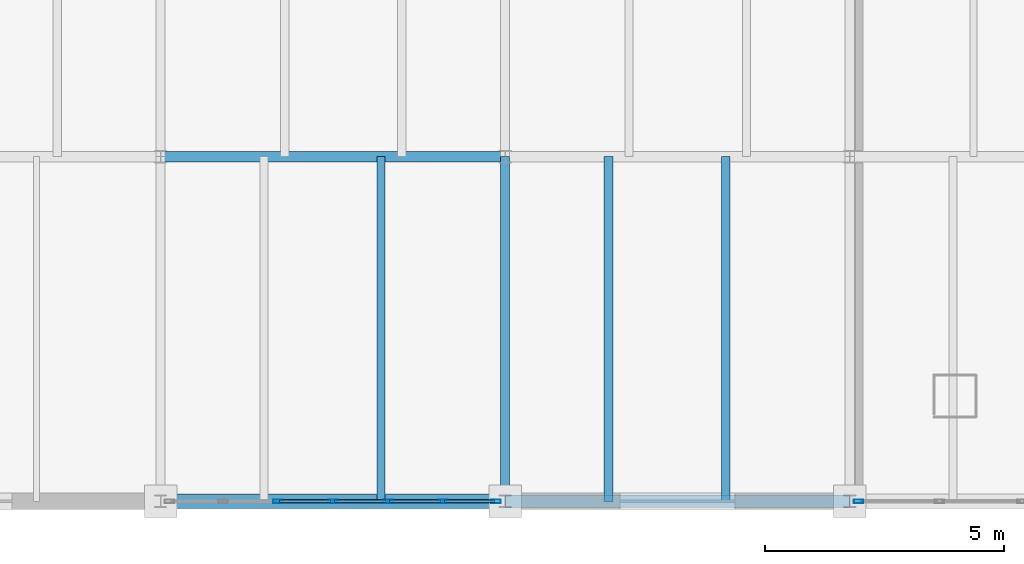
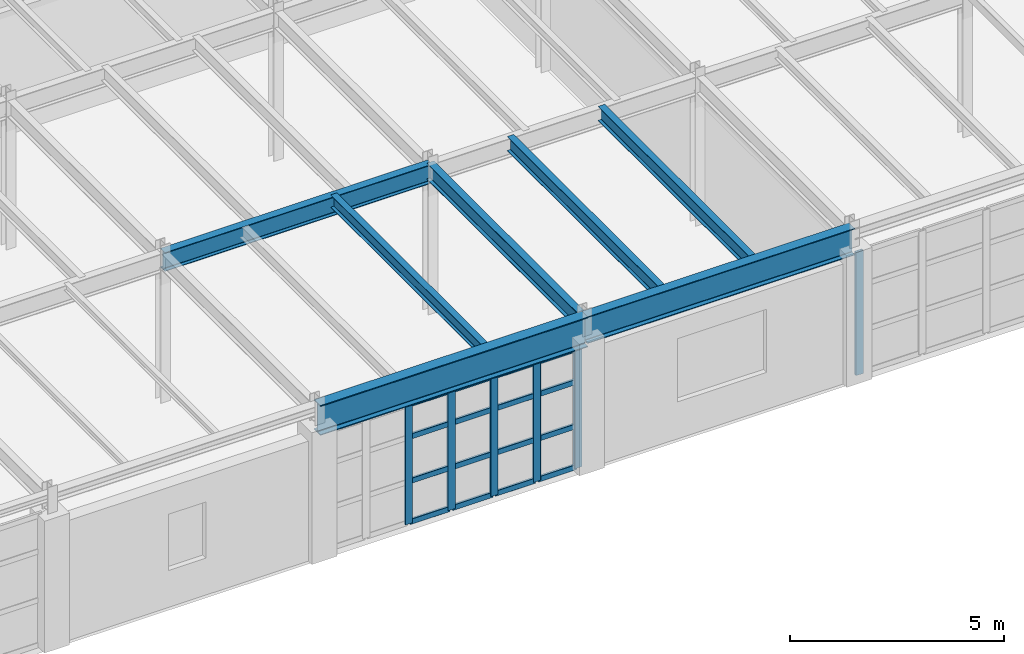
# One storey, part 46 of 137: 22 members, 7 beams, 2 elements without a shape of their own.
"""IFC4 building model written with IfcOpenShell, lengths in metres."""

from ifc_helpers import new_model, si_unit, direction, frame, origin, origin_2d, place, context, subcontext, project, spatial, hollow_rectangle, i_section, extrude, material, layer, layer_set, material_profile, profile_set, type_object, element, aggregate, save


model = new_model("IFC4")

# Units and contexts
model_context = context("Model", 3, precision=1e-05, world=origin(), true_north=direction((0.0, 1.0)))
body_context = subcontext(model_context, "Body", "Model", "MODEL_VIEW")
ifc_project = project(units=[si_unit("LENGTHUNIT", "METRE"), si_unit("AREAUNIT", "SQUARE_METRE"), si_unit("VOLUMEUNIT", "CUBIC_METRE"), si_unit("PLANEANGLEUNIT", "RADIAN"), si_unit("MASSUNIT", "GRAM", prefix="KILO")], contexts=[model_context])

# Site, building, storey
site_placement = place(None, origin())
site = spatial("IfcSite", under=ifc_project, at=site_placement, CompositionType="ELEMENT")
building_placement = place(site_placement, origin())
building = spatial("IfcBuilding", under=site, at=building_placement, Name="Kemerveld Promenade Tramway Depot", CompositionType="ELEMENT")
storey_placement = place(building_placement, frame((0.0, 0.0, 5.39990234375)))
storey = spatial("IfcBuildingStorey", under=building, at=storey_placement, Name="L01", CompositionType="ELEMENT", Elevation=5.39990234375)

# Beams
ifc_material_1 = material(Name="Steel S355", Category="steel")
ifc_material_profile_1 = material_profile(ifc_material_1, i_section(OverallWidth=0.293701171875, OverallDepth=0.850830078125, WebThickness=0.01611328125, FlangeThickness=0.02685546875, FilletRadius=0.017822265625, at=origin_2d()), Name="838x292x226 UB")
ifc_profile_set_1 = profile_set([ifc_material_profile_1], Name="Steel S355")
beam_type_1 = type_object("IfcBeamType", Name="BM-G01", PredefinedType="BEAM", material=ifc_profile_set_1)
beam_1_placement = place(storey_placement, frame((93.60009765625, 0.0, 3.859619140625), z_axis=(1.0, 0.0, 0.0), x_axis=(0.0, 1.0, 0.0)))
element("IfcBeam", 1, at=beam_1_placement, inside=storey, type_object=beam_type_1, Name="BMX-L01-14-15-A", PredefinedType="BEAM", context=body_context, shape_type="SweptSolid", body=[
    extrude(i_section(OverallWidth=0.293701171875, OverallDepth=0.850830078125, WebThickness=0.01611328125, FlangeThickness=0.02685546875, FilletRadius=0.017822265625, at=origin_2d()), origin(), (0.0, 0.0, 1.0), 7.199951171875),
])
ifc_material_profile_2 = material_profile(ifc_material_1, i_section(OverallWidth=0.2666015625, OverallDepth=0.76220703125, WebThickness=0.014404296875, FlangeThickness=0.021484375, FilletRadius=0.0166015625, at=origin_2d()), Name="762x267x173 UB")
ifc_profile_set_2 = profile_set([ifc_material_profile_2], Name="Steel S355")
beam_type_2 = type_object("IfcBeamType", Name="BM-G02", PredefinedType="BEAM", material=ifc_profile_set_2)
beam_2_placement = place(storey_placement, frame((100.800048828125, 0.0, 3.904052734375), z_axis=(1.0, 0.0, 0.0), x_axis=(0.0, 1.0, 0.0)))
element("IfcBeam", 2, at=beam_2_placement, inside=storey, type_object=beam_type_2, Name="BMX-L01-15-16-A", PredefinedType="BEAM", context=body_context, shape_type="SweptSolid", body=[
    extrude(i_section(OverallWidth=0.2666015625, OverallDepth=0.76220703125, WebThickness=0.014404296875, FlangeThickness=0.021484375, FilletRadius=0.0166015625, at=origin_2d()), origin(), (0.0, 0.0, 1.0), 7.199951171875),
])
ifc_material_profile_3 = material_profile(ifc_material_1, i_section(OverallWidth=0.2099609375, OverallDepth=0.53662109375, WebThickness=0.0107421875, FlangeThickness=0.017333984375, FilletRadius=0.0126953125, at=origin_2d()), Name="533x210x101 UB")
ifc_profile_set_3 = profile_set([ifc_material_profile_3], Name="Steel S355")
beam_type_3 = type_object("IfcBeamType", Name="BM-G05", PredefinedType="BEAM", material=ifc_profile_set_3)
beam_3_placement = place(storey_placement, frame((93.60009765625, 7.199951171875, 3.981689453125), z_axis=(1.0, 0.0, 0.0), x_axis=(0.0, 1.0, 0.0)))
element("IfcBeam", 3, at=beam_3_placement, inside=storey, type_object=beam_type_3, Name="BMX-L01-14-15-B", PredefinedType="BEAM", context=body_context, shape_type="SweptSolid", body=[
    extrude(i_section(OverallWidth=0.2099609375, OverallDepth=0.53662109375, WebThickness=0.0107421875, FlangeThickness=0.017333984375, FilletRadius=0.0126953125, at=origin_2d()), origin(), (0.0, 0.0, 1.0), 7.199951171875),
])
ifc_material_profile_4 = material_profile(ifc_material_1, i_section(OverallWidth=0.19140625, OverallDepth=0.4599609375, WebThickness=0.010009765625, FlangeThickness=0.01611328125, FilletRadius=0.01025390625, at=origin_2d()), Name="457x191x82 UB")
ifc_profile_set_4 = profile_set([ifc_material_profile_4], Name="Steel S355")
beam_type_4 = type_object("IfcBeamType", Name="BM-G06", PredefinedType="BEAM", material=ifc_profile_set_4)
beam_4_placement = place(storey_placement, frame((100.800048828125, 0.0, 4.02001953125), z_axis=(0.0, 1.0, 0.0), x_axis=(-1.0, 0.0, 0.0)))
element("IfcBeam", 4, at=beam_4_placement, inside=storey, type_object=beam_type_4, Name="BMY-L01-15-A-B", PredefinedType="BEAM", context=body_context, shape_type="SweptSolid", body=[
    extrude(i_section(OverallWidth=0.19140625, OverallDepth=0.4599609375, WebThickness=0.010009765625, FlangeThickness=0.01611328125, FilletRadius=0.01025390625, at=origin_2d()), origin(), (0.0, 0.0, 1.0), 7.199951171875),
])
ifc_material_profile_5 = material_profile(ifc_material_1, i_section(OverallWidth=0.172119140625, OverallDepth=0.35791015625, WebThickness=0.008056640625, FlangeThickness=0.012939453125, FilletRadius=0.01025390625, at=origin_2d()), Name="356x171x57 UB")
ifc_profile_set_5 = profile_set([ifc_material_profile_5], Name="Steel S355")
beam_type_5 = type_object("IfcBeamType", Name="BM-J04", PredefinedType="JOIST", material=ifc_profile_set_5)
beam_5_placement = place(storey_placement, frame((98.2080078125, 0.0, 4.071044921875), z_axis=(0.0, 1.0, 0.0), x_axis=(-1.0, 0.0, 0.0)))
element("IfcBeam", 5, at=beam_5_placement, inside=storey, type_object=beam_type_5, Name="JST-L01-14-A-2", PredefinedType="JOIST", context=body_context, shape_type="SweptSolid", body=[
    extrude(i_section(OverallWidth=0.172119140625, OverallDepth=0.35791015625, WebThickness=0.008056640625, FlangeThickness=0.012939453125, FilletRadius=0.01025390625, at=origin_2d()), origin(), (0.0, 0.0, 1.0), 7.199951171875),
])
ifc_material_profile_6 = material_profile(ifc_material_1, i_section(OverallWidth=0.1787109375, OverallDepth=0.409423828125, WebThickness=0.0087890625, FlangeThickness=0.014404296875, FilletRadius=0.01025390625, at=origin_2d()), Name="406x178x67 UB")
ifc_profile_set_6 = profile_set([ifc_material_profile_6], Name="Steel S355")
beam_type_6 = type_object("IfcBeamType", Name="BM-J05", PredefinedType="JOIST", material=ifc_profile_set_6)
for number, where, z_axis, x_axis, name in (
    (6, (102.9599609375, 0.0, 4.04541015625), (0.0, 1.0, 0.0), (-1.0, 0.0, 0.0), "JST-L01-15-A-1"),
    (7, (105.407958984375, 0.0, 4.04541015625), (0.0, 1.0, 0.0), (-1.0, 0.0, 0.0), "JST-L01-15-A-2"),
):
    element("IfcBeam", number, at=place(storey_placement, frame(where, z_axis=z_axis, x_axis=x_axis)), inside=storey, type_object=beam_type_6, Name=name, PredefinedType="JOIST", context=body_context, shape_type="SweptSolid", body=[
        extrude(i_section(OverallWidth=0.1787109375, OverallDepth=0.409423828125, WebThickness=0.0087890625, FlangeThickness=0.014404296875, FilletRadius=0.01025390625, at=origin_2d()), origin(), (0.0, 0.0, 1.0), 7.199951171875),
    ])

# Curtain wall, member
ifc_material_2 = material(Name="Bronze anodised aluminium and solar glass", Category="aluminium")
ifc_layer_1 = layer(ifc_material_2, 0.199951171875)
ifc_layer_set_1 = layer_set([ifc_layer_1], Name="CW-SYS-10")
curtain_wall_type_1 = type_object("IfcCurtainWallType", Name="CW-SYS-10", PredefinedType="USERDEFINED", material=ifc_layer_set_1)
curtain_wall_1_placement = place(storey_placement, origin())
curtain_wall_1 = element("IfcCurtainWall", 8, at=curtain_wall_1_placement, inside=storey, type_object=curtain_wall_type_1, Name="CW-L01-V4S-07", ObjectType="GLAZED_CURTAIN_WALL", PredefinedType="USERDEFINED")
ifc_material_3 = material(Name="Bronze anodised aluminium", Category="aluminium")
ifc_material_profile_7 = material_profile(ifc_material_3, hollow_rectangle(XDim=0.074951171875, YDim=0.199951171875, WallThickness=0.0048828125, InnerFilletRadius=0.001953125, OuterFilletRadius=0.0048828125, at=origin_2d()), Name="CW-MUL-200x75")
ifc_profile_set_7 = profile_set([ifc_material_profile_7], Name="Bronze anodised aluminium")
member_type_1 = type_object("IfcMemberType", Name="CW-MUL-B", PredefinedType="MULLION", material=ifc_profile_set_7)
member_1_placement = place(storey_placement, frame((108.1875, 0.0, 0.0), z_axis=(0.0, 0.0, 1.0), x_axis=(0.0, -1.0, 0.0)))
member_1 = element("IfcMember", 9, at=member_1_placement, type_object=member_type_1, Name="CW10 mullion 5", PredefinedType="MULLION", context=body_context, shape_type="SweptSolid", body=[
    extrude(hollow_rectangle(XDim=0.074951171875, YDim=0.199951171875, WallThickness=0.0048828125, InnerFilletRadius=0.001953125, OuterFilletRadius=0.0048828125, at=origin_2d()), origin(), (0.0, 0.0, 1.0), 3.5029296875),
])
aggregate(curtain_wall_1, [member_1])

# Curtain wall, members
ifc_layer_2 = layer(ifc_material_2, 0.199951171875)
ifc_layer_set_2 = layer_set([ifc_layer_2], Name="CW-SYS-12")
curtain_wall_type_2 = type_object("IfcCurtainWallType", Name="CW-SYS-12", PredefinedType="USERDEFINED", material=ifc_layer_set_2)
curtain_wall_2_placement = place(storey_placement, origin())
curtain_wall_2 = element("IfcCurtainWall", 10, at=curtain_wall_2_placement, inside=storey, type_object=curtain_wall_type_2, Name="CW-L01-V4S-09", ObjectType="GLAZED_CURTAIN_WALL", PredefinedType="USERDEFINED")
member_2_placement = place(storey_placement, frame((100.6123046875, 0.0, 0.0), z_axis=(0.0, 0.0, 1.0), x_axis=(0.0, -1.0, 0.0)))
member_2 = element("IfcMember", 11, at=member_2_placement, type_object=member_type_1, Name="CW12 mullion 1", PredefinedType="MULLION", context=body_context, shape_type="SweptSolid", body=[
    extrude(hollow_rectangle(XDim=0.074951171875, YDim=0.199951171875, WallThickness=0.0048828125, InnerFilletRadius=0.001953125, OuterFilletRadius=0.0048828125, at=origin_2d()), origin(), (0.0, 0.0, 1.0), 3.414306640625),
])
member_3_placement = place(storey_placement, frame((99.5, 0.0, 0.0), z_axis=(0.0, 0.0, 1.0), x_axis=(0.0, -1.0, 0.0)))
member_3 = element("IfcMember", 12, at=member_3_placement, type_object=member_type_1, Name="CW12 mullion 2", PredefinedType="MULLION", context=body_context, shape_type="SweptSolid", body=[
    extrude(hollow_rectangle(XDim=0.074951171875, YDim=0.199951171875, WallThickness=0.0048828125, InnerFilletRadius=0.001953125, OuterFilletRadius=0.0048828125, at=origin_2d()), origin(), (0.0, 0.0, 1.0), 3.414306640625),
])
member_4_placement = place(storey_placement, frame((98.349853515625, 0.0, 0.0), z_axis=(0.0, 0.0, 1.0), x_axis=(0.0, -1.0, 0.0)))
member_4 = element("IfcMember", 13, at=member_4_placement, type_object=member_type_1, Name="CW12 mullion 3", PredefinedType="MULLION", context=body_context, shape_type="SweptSolid", body=[
    extrude(hollow_rectangle(XDim=0.074951171875, YDim=0.199951171875, WallThickness=0.0048828125, InnerFilletRadius=0.001953125, OuterFilletRadius=0.0048828125, at=origin_2d()), origin(), (0.0, 0.0, 1.0), 3.414306640625),
])
member_5_placement = place(storey_placement, frame((97.199951171875, 0.0, 0.0), z_axis=(0.0, 0.0, 1.0), x_axis=(0.0, -1.0, 0.0)))
member_5 = element("IfcMember", 14, at=member_5_placement, type_object=member_type_1, Name="CW12 mullion 4", PredefinedType="MULLION", context=body_context, shape_type="SweptSolid", body=[
    extrude(hollow_rectangle(XDim=0.074951171875, YDim=0.199951171875, WallThickness=0.0048828125, InnerFilletRadius=0.001953125, OuterFilletRadius=0.0048828125, at=origin_2d()), origin(), (0.0, 0.0, 1.0), 3.414306640625),
])
member_6_placement = place(storey_placement, frame((96.050048828125, 0.0, 0.0), z_axis=(0.0, 0.0, 1.0), x_axis=(0.0, -1.0, 0.0)))
member_6 = element("IfcMember", 15, at=member_6_placement, type_object=member_type_1, Name="CW12 mullion 5", PredefinedType="MULLION", context=body_context, shape_type="SweptSolid", body=[
    extrude(hollow_rectangle(XDim=0.074951171875, YDim=0.199951171875, WallThickness=0.0048828125, InnerFilletRadius=0.001953125, OuterFilletRadius=0.0048828125, at=origin_2d()), origin(), (0.0, 0.0, 1.0), 3.414306640625),
])
ifc_material_profile_8 = material_profile(ifc_material_3, hollow_rectangle(XDim=0.06494140625, YDim=0.14990234375, WallThickness=0.00439453125, InnerFilletRadius=0.001953125, OuterFilletRadius=0.00439453125, at=origin_2d()), Name="CW-TRN-150x65")
ifc_profile_set_8 = profile_set([ifc_material_profile_8], Name="Bronze anodised aluminium")
member_type_2 = type_object("IfcMemberType", Name="CW-TRN-B", PredefinedType="USERDEFINED", material=ifc_profile_set_8)
member_7_placement = place(storey_placement, frame((100.574951171875, 0.0, 0.03271484375), z_axis=(-1.0, 0.0, 0.0), x_axis=(0.0, -1.0, 0.0)))
member_7 = element("IfcMember", 16, at=member_7_placement, type_object=member_type_2, Name="CW12 transom 1.1", ObjectType="TRANSOM", PredefinedType="USERDEFINED", context=body_context, shape_type="SweptSolid", body=[
    extrude(hollow_rectangle(XDim=0.06494140625, YDim=0.14990234375, WallThickness=0.00439453125, InnerFilletRadius=0.001953125, OuterFilletRadius=0.00439453125, at=origin_2d()), origin(), (0.0, 0.0, 1.0), 1.03759765625),
])
member_8_placement = place(storey_placement, frame((100.574951171875, 0.0, 1.195068359375), z_axis=(-1.0, 0.0, 0.0), x_axis=(0.0, -1.0, 0.0)))
member_8 = element("IfcMember", 17, at=member_8_placement, type_object=member_type_2, Name="CW12 transom 1.2", ObjectType="TRANSOM", PredefinedType="USERDEFINED", context=body_context, shape_type="SweptSolid", body=[
    extrude(hollow_rectangle(XDim=0.06494140625, YDim=0.14990234375, WallThickness=0.00439453125, InnerFilletRadius=0.001953125, OuterFilletRadius=0.00439453125, at=origin_2d()), origin(), (0.0, 0.0, 1.0), 1.03759765625),
])
member_9_placement = place(storey_placement, frame((100.574951171875, 0.0, 2.4580078125), z_axis=(-1.0, 0.0, 0.0), x_axis=(0.0, -1.0, 0.0)))
member_9 = element("IfcMember", 18, at=member_9_placement, type_object=member_type_2, Name="CW12 transom 1.3", ObjectType="TRANSOM", PredefinedType="USERDEFINED", context=body_context, shape_type="SweptSolid", body=[
    extrude(hollow_rectangle(XDim=0.06494140625, YDim=0.14990234375, WallThickness=0.00439453125, InnerFilletRadius=0.001953125, OuterFilletRadius=0.00439453125, at=origin_2d()), origin(), (0.0, 0.0, 1.0), 1.03759765625),
])
member_10_placement = place(storey_placement, frame((100.574951171875, 0.0, 3.3818359375), z_axis=(-1.0, 0.0, 0.0), x_axis=(0.0, -1.0, 0.0)))
member_10 = element("IfcMember", 19, at=member_10_placement, type_object=member_type_2, Name="CW12 transom 1.4", ObjectType="TRANSOM", PredefinedType="USERDEFINED", context=body_context, shape_type="SweptSolid", body=[
    extrude(hollow_rectangle(XDim=0.06494140625, YDim=0.14990234375, WallThickness=0.00439453125, InnerFilletRadius=0.001953125, OuterFilletRadius=0.00439453125, at=origin_2d()), origin(), (0.0, 0.0, 1.0), 1.03759765625),
])
member_11_placement = place(storey_placement, frame((99.46240234375, 0.0, 0.03271484375), z_axis=(-1.0, 0.0, 0.0), x_axis=(0.0, -1.0, 0.0)))
member_11 = element("IfcMember", 20, at=member_11_placement, type_object=member_type_2, Name="CW12 transom 2.1", ObjectType="TRANSOM", PredefinedType="USERDEFINED", context=body_context, shape_type="SweptSolid", body=[
    extrude(hollow_rectangle(XDim=0.06494140625, YDim=0.14990234375, WallThickness=0.00439453125, InnerFilletRadius=0.001953125, OuterFilletRadius=0.00439453125, at=origin_2d()), origin(), (0.0, 0.0, 1.0), 1.074951171875),
])
member_12_placement = place(storey_placement, frame((99.46240234375, 0.0, 1.195068359375), z_axis=(-1.0, 0.0, 0.0), x_axis=(0.0, -1.0, 0.0)))
member_12 = element("IfcMember", 21, at=member_12_placement, type_object=member_type_2, Name="CW12 transom 2.2", ObjectType="TRANSOM", PredefinedType="USERDEFINED", context=body_context, shape_type="SweptSolid", body=[
    extrude(hollow_rectangle(XDim=0.06494140625, YDim=0.14990234375, WallThickness=0.00439453125, InnerFilletRadius=0.001953125, OuterFilletRadius=0.00439453125, at=origin_2d()), origin(), (0.0, 0.0, 1.0), 1.074951171875),
])
member_13_placement = place(storey_placement, frame((99.46240234375, 0.0, 2.4580078125), z_axis=(-1.0, 0.0, 0.0), x_axis=(0.0, -1.0, 0.0)))
member_13 = element("IfcMember", 22, at=member_13_placement, type_object=member_type_2, Name="CW12 transom 2.3", ObjectType="TRANSOM", PredefinedType="USERDEFINED", context=body_context, shape_type="SweptSolid", body=[
    extrude(hollow_rectangle(XDim=0.06494140625, YDim=0.14990234375, WallThickness=0.00439453125, InnerFilletRadius=0.001953125, OuterFilletRadius=0.00439453125, at=origin_2d()), origin(), (0.0, 0.0, 1.0), 1.074951171875),
])
member_14_placement = place(storey_placement, frame((99.46240234375, 0.0, 3.3818359375), z_axis=(-1.0, 0.0, 0.0), x_axis=(0.0, -1.0, 0.0)))
member_14 = element("IfcMember", 23, at=member_14_placement, type_object=member_type_2, Name="CW12 transom 2.4", ObjectType="TRANSOM", PredefinedType="USERDEFINED", context=body_context, shape_type="SweptSolid", body=[
    extrude(hollow_rectangle(XDim=0.06494140625, YDim=0.14990234375, WallThickness=0.00439453125, InnerFilletRadius=0.001953125, OuterFilletRadius=0.00439453125, at=origin_2d()), origin(), (0.0, 0.0, 1.0), 1.074951171875),
])
member_15_placement = place(storey_placement, frame((98.3125, 0.0, 0.03271484375), z_axis=(-1.0, 0.0, 0.0), x_axis=(0.0, -1.0, 0.0)))
member_15 = element("IfcMember", 24, at=member_15_placement, type_object=member_type_2, Name="CW12 transom 3.1", ObjectType="TRANSOM", PredefinedType="USERDEFINED", context=body_context, shape_type="SweptSolid", body=[
    extrude(hollow_rectangle(XDim=0.06494140625, YDim=0.14990234375, WallThickness=0.00439453125, InnerFilletRadius=0.001953125, OuterFilletRadius=0.00439453125, at=origin_2d()), origin(), (0.0, 0.0, 1.0), 1.074951171875),
])
member_16_placement = place(storey_placement, frame((98.3125, 0.0, 1.195068359375), z_axis=(-1.0, 0.0, 0.0), x_axis=(0.0, -1.0, 0.0)))
member_16 = element("IfcMember", 25, at=member_16_placement, type_object=member_type_2, Name="CW12 transom 3.2", ObjectType="TRANSOM", PredefinedType="USERDEFINED", context=body_context, shape_type="SweptSolid", body=[
    extrude(hollow_rectangle(XDim=0.06494140625, YDim=0.14990234375, WallThickness=0.00439453125, InnerFilletRadius=0.001953125, OuterFilletRadius=0.00439453125, at=origin_2d()), origin(), (0.0, 0.0, 1.0), 1.074951171875),
])
member_17_placement = place(storey_placement, frame((98.3125, 0.0, 2.4580078125), z_axis=(-1.0, 0.0, 0.0), x_axis=(0.0, -1.0, 0.0)))
member_17 = element("IfcMember", 26, at=member_17_placement, type_object=member_type_2, Name="CW12 transom 3.3", ObjectType="TRANSOM", PredefinedType="USERDEFINED", context=body_context, shape_type="SweptSolid", body=[
    extrude(hollow_rectangle(XDim=0.06494140625, YDim=0.14990234375, WallThickness=0.00439453125, InnerFilletRadius=0.001953125, OuterFilletRadius=0.00439453125, at=origin_2d()), origin(), (0.0, 0.0, 1.0), 1.074951171875),
])
member_18_placement = place(storey_placement, frame((98.3125, 0.0, 3.3818359375), z_axis=(-1.0, 0.0, 0.0), x_axis=(0.0, -1.0, 0.0)))
member_18 = element("IfcMember", 27, at=member_18_placement, type_object=member_type_2, Name="CW12 transom 3.4", ObjectType="TRANSOM", PredefinedType="USERDEFINED", context=body_context, shape_type="SweptSolid", body=[
    extrude(hollow_rectangle(XDim=0.06494140625, YDim=0.14990234375, WallThickness=0.00439453125, InnerFilletRadius=0.001953125, OuterFilletRadius=0.00439453125, at=origin_2d()), origin(), (0.0, 0.0, 1.0), 1.074951171875),
])
member_19_placement = place(storey_placement, frame((97.16259765625, 0.0, 0.03271484375), z_axis=(-1.0, 0.0, 0.0), x_axis=(0.0, -1.0, 0.0)))
member_19 = element("IfcMember", 28, at=member_19_placement, type_object=member_type_2, Name="CW12 transom 4.1", ObjectType="TRANSOM", PredefinedType="USERDEFINED", context=body_context, shape_type="SweptSolid", body=[
    extrude(hollow_rectangle(XDim=0.06494140625, YDim=0.14990234375, WallThickness=0.00439453125, InnerFilletRadius=0.001953125, OuterFilletRadius=0.00439453125, at=origin_2d()), origin(), (0.0, 0.0, 1.0), 1.074951171875),
])
member_20_placement = place(storey_placement, frame((97.16259765625, 0.0, 1.195068359375), z_axis=(-1.0, 0.0, 0.0), x_axis=(0.0, -1.0, 0.0)))
member_20 = element("IfcMember", 29, at=member_20_placement, type_object=member_type_2, Name="CW12 transom 4.2", ObjectType="TRANSOM", PredefinedType="USERDEFINED", context=body_context, shape_type="SweptSolid", body=[
    extrude(hollow_rectangle(XDim=0.06494140625, YDim=0.14990234375, WallThickness=0.00439453125, InnerFilletRadius=0.001953125, OuterFilletRadius=0.00439453125, at=origin_2d()), origin(), (0.0, 0.0, 1.0), 1.074951171875),
])
member_21_placement = place(storey_placement, frame((97.16259765625, 0.0, 2.4580078125), z_axis=(-1.0, 0.0, 0.0), x_axis=(0.0, -1.0, 0.0)))
member_21 = element("IfcMember", 30, at=member_21_placement, type_object=member_type_2, Name="CW12 transom 4.3", ObjectType="TRANSOM", PredefinedType="USERDEFINED", context=body_context, shape_type="SweptSolid", body=[
    extrude(hollow_rectangle(XDim=0.06494140625, YDim=0.14990234375, WallThickness=0.00439453125, InnerFilletRadius=0.001953125, OuterFilletRadius=0.00439453125, at=origin_2d()), origin(), (0.0, 0.0, 1.0), 1.074951171875),
])
member_22_placement = place(storey_placement, frame((97.16259765625, 0.0, 3.3818359375), z_axis=(-1.0, 0.0, 0.0), x_axis=(0.0, -1.0, 0.0)))
member_22 = element("IfcMember", 31, at=member_22_placement, type_object=member_type_2, Name="CW12 transom 4.4", ObjectType="TRANSOM", PredefinedType="USERDEFINED", context=body_context, shape_type="SweptSolid", body=[
    extrude(hollow_rectangle(XDim=0.06494140625, YDim=0.14990234375, WallThickness=0.00439453125, InnerFilletRadius=0.001953125, OuterFilletRadius=0.00439453125, at=origin_2d()), origin(), (0.0, 0.0, 1.0), 1.074951171875),
])
aggregate(curtain_wall_2, [member_2, member_3, member_4, member_5, member_6, member_7, member_8, member_9, member_10, member_11, member_12, member_13, member_14, member_15, member_16, member_17, member_18, member_19, member_20, member_21, member_22])

save(model, "model.ifc")
